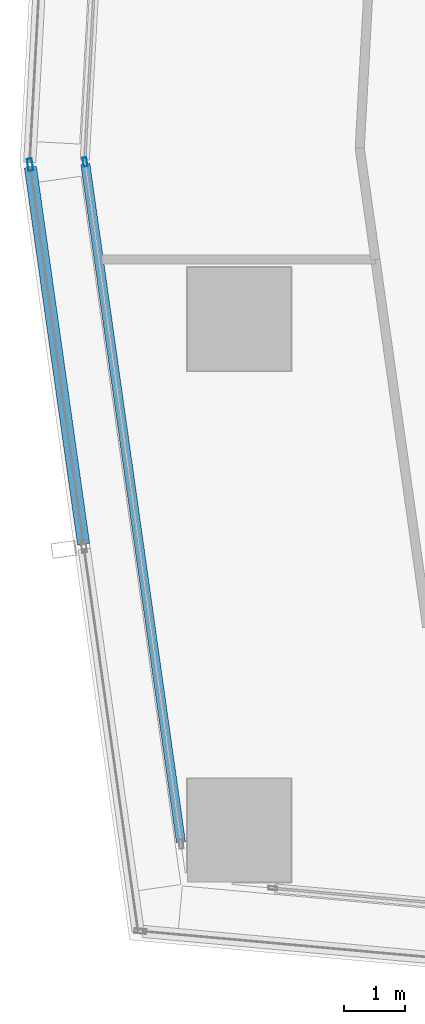
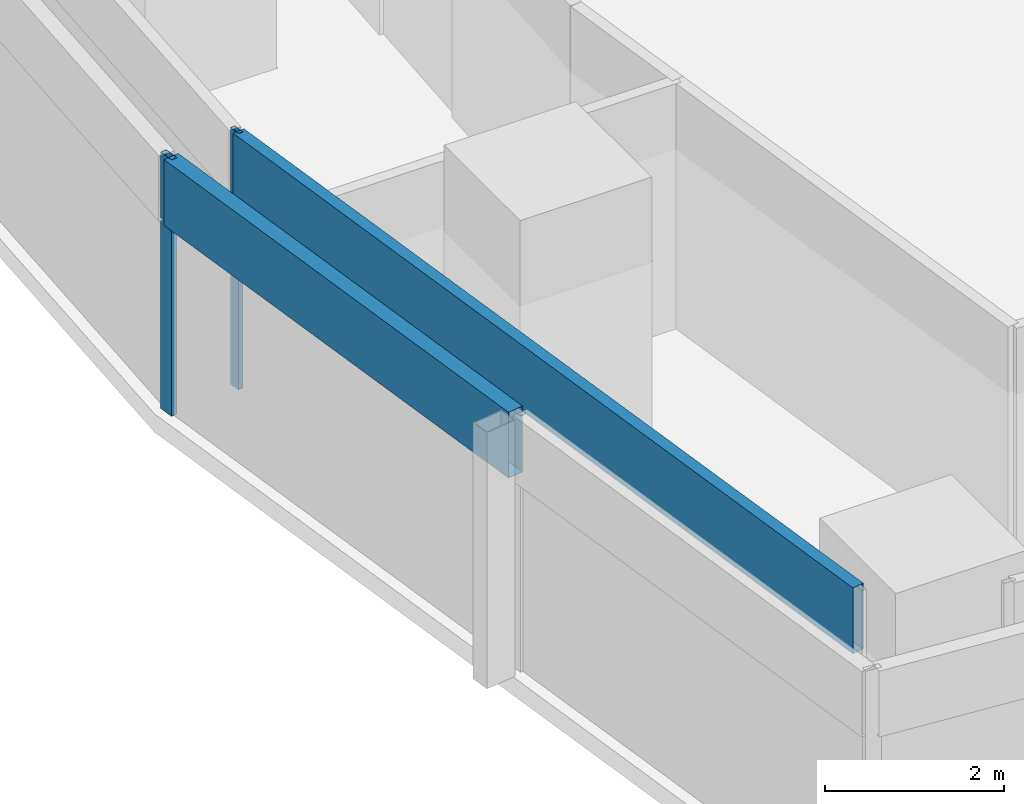
# One storey, part 4 of 40: 4 members, 2 elements without a shape of their own.
"""IFC4 building model written with IfcOpenShell, lengths in metres."""

from ifc_helpers import new_model, si_unit, direction, frame, origin, origin_2d, place, context, subcontext, project, spatial, hollow_rectangle, extrude, material, material_profile, profile_set, type_object, element, aggregate, save


model = new_model("IFC4")

# Units and contexts
model_context = context("Model", 3, precision=1e-05, world=origin(), true_north=direction((0.0, 1.0)))
body_context = subcontext(model_context, "Body", "Model", "MODEL_VIEW")
ifc_project = project(units=[si_unit("LENGTHUNIT", "METRE"), si_unit("AREAUNIT", "SQUARE_METRE"), si_unit("VOLUMEUNIT", "CUBIC_METRE"), si_unit("PLANEANGLEUNIT", "RADIAN"), si_unit("MASSUNIT", "GRAM", prefix="KILO")], contexts=[model_context])

# Site, building, storey
site_placement = place(None, origin())
site = spatial("IfcSite", under=ifc_project, at=site_placement, CompositionType="ELEMENT")
building_placement = place(site_placement, origin())
building = spatial("IfcBuilding", under=site, at=building_placement, Name="Rekha Terrace Tower", CompositionType="ELEMENT")
storey_placement = place(building_placement, frame((0.0, 0.0, 106.550048828125)))
storey = spatial("IfcBuildingStorey", under=building, at=storey_placement, Name="L26", CompositionType="ELEMENT", Elevation=106.550048828125)

# Curtain wall, members
ifc_material_1 = material(Name="Aluminium framing", Category="aluminium")
curtain_wall_type_1 = type_object("IfcCurtainWallType", Name="CW1 double skin inner glazing", PredefinedType="USERDEFINED", material=ifc_material_1)
curtain_wall_1_placement = place(storey_placement, origin())
curtain_wall_1 = element("IfcCurtainWall", 1, at=curtain_wall_1_placement, inside=storey, type_object=curtain_wall_type_1, Name="CW1 double skin inner glazing", ObjectType="DOUBLE SKIN INNER GLAZING", PredefinedType="USERDEFINED")
ifc_material_2 = material(Name="Aluminium mullion section", Category="aluminium")
ifc_material_profile_1 = material_profile(ifc_material_2, hollow_rectangle(XDim=0.06494140625, YDim=0.14990234375, WallThickness=0.00390625, at=origin_2d()), Name="AL RHS 65x150")
ifc_profile_set_1 = profile_set([ifc_material_profile_1], Name="Aluminium mullion section")
member_type_1 = type_object("IfcMemberType", Name="CW1 mullion RHS 65 x 150", PredefinedType="MULLION", material=ifc_profile_set_1)
member_1_placement = place(storey_placement, frame((5.86865234375, 27.78125, 0.0), z_axis=(0.0, 0.0, 1.0), x_axis=(0.990208394312, 0.139597048082, 0.0)))
member_1 = element("IfcMember", 2, at=member_1_placement, type_object=member_type_1, Name="CW1 mullion 1", PredefinedType="MULLION", context=body_context, shape_type="SweptSolid", body=[
    extrude(hollow_rectangle(XDim=0.06494140625, YDim=0.14990234375, WallThickness=0.00390625, at=origin_2d()), origin(), (0.0, 0.0, 1.0), 3.5),
])
ifc_material_3 = material(Name="Insulated aluminium spandrel box", Category="aluminium")
ifc_material_profile_2 = material_profile(ifc_material_3, hollow_rectangle(XDim=0.14990234375, YDim=0.89990234375, WallThickness=0.0029296875, at=origin_2d()), Name="AL SPANDREL BOX 150x900")
ifc_profile_set_2 = profile_set([ifc_material_profile_2], Name="Insulated aluminium spandrel box")
member_type_2 = type_object("IfcMemberType", Name="CW1 spandrel transom 150 x 900", PredefinedType="USERDEFINED", material=ifc_profile_set_2)
member_2_placement = place(storey_placement, frame((5.873046875, 27.7490234375, 3.050048828125), z_axis=(0.139607844155, -0.99020687225, 0.0), x_axis=(0.99020687225, 0.139607844155, 0.0)))
member_2 = element("IfcMember", 3, at=member_2_placement, type_object=member_type_2, Name="CW1 spandrel transom 1", ObjectType="TRANSOM", PredefinedType="USERDEFINED", context=body_context, shape_type="SweptSolid", body=[
    extrude(hollow_rectangle(XDim=0.14990234375, YDim=0.89990234375, WallThickness=0.0029296875, at=origin_2d()), origin(), (0.0, 0.0, 1.0), 11.253173828125),
])
aggregate(curtain_wall_1, [member_1, member_2])

curtain_wall_type_2 = type_object("IfcCurtainWallType", Name="CW2 double skin outer glazing", PredefinedType="USERDEFINED", material=ifc_material_1)
curtain_wall_2_placement = place(storey_placement, origin())
curtain_wall_2 = element("IfcCurtainWall", 4, at=curtain_wall_2_placement, inside=storey, type_object=curtain_wall_type_2, Name="CW2 double skin outer glazing", ObjectType="DOUBLE SKIN OUTER GLAZING", PredefinedType="USERDEFINED")
ifc_material_profile_3 = material_profile(ifc_material_2, hollow_rectangle(XDim=0.080078125, YDim=0.199951171875, WallThickness=0.00390625, at=origin_2d()), Name="AL RHS 80x200")
ifc_profile_set_3 = profile_set([ifc_material_profile_3], Name="Aluminium mullion section")
member_type_3 = type_object("IfcMemberType", Name="CW2 mullion RHS 80 x 200", PredefinedType="MULLION", material=ifc_profile_set_3)
member_3_placement = place(storey_placement, frame((4.96630859375, 27.7353515625, 0.0), z_axis=(0.0, 0.0, 1.0), x_axis=(0.990208394312, 0.139597048082, 0.0)))
member_3 = element("IfcMember", 5, at=member_3_placement, type_object=member_type_3, Name="CW2 mullion 1", PredefinedType="MULLION", context=body_context, shape_type="SweptSolid", body=[
    extrude(hollow_rectangle(XDim=0.080078125, YDim=0.199951171875, WallThickness=0.00390625, at=origin_2d()), origin(), (0.0, 0.0, 1.0), 3.5),
])
ifc_material_profile_4 = material_profile(ifc_material_3, hollow_rectangle(XDim=0.199951171875, YDim=0.89990234375, WallThickness=0.0029296875, at=origin_2d()), Name="AL SPANDREL BOX 200x900")
ifc_profile_set_4 = profile_set([ifc_material_profile_4], Name="Insulated aluminium spandrel box")
member_type_4 = type_object("IfcMemberType", Name="CW2 spandrel transom 200 x 900", PredefinedType="USERDEFINED", material=ifc_profile_set_4)
member_4_placement = place(storey_placement, frame((4.9716796875, 27.695556640625, 3.050048828125), z_axis=(0.139596256865, -0.990208505856, 0.0), x_axis=(0.990208505856, 0.139596256865, 0.0)))
member_4 = element("IfcMember", 6, at=member_4_placement, type_object=member_type_4, Name="CW2 spandrel transom 1", ObjectType="TRANSOM", PredefinedType="USERDEFINED", context=body_context, shape_type="SweptSolid", body=[
    extrude(hollow_rectangle(XDim=0.199951171875, YDim=0.89990234375, WallThickness=0.0029296875, at=origin_2d()), origin(), (0.0, 0.0, 1.0), 6.255859375),
])
aggregate(curtain_wall_2, [member_3, member_4])

save(model, "model.ifc")
